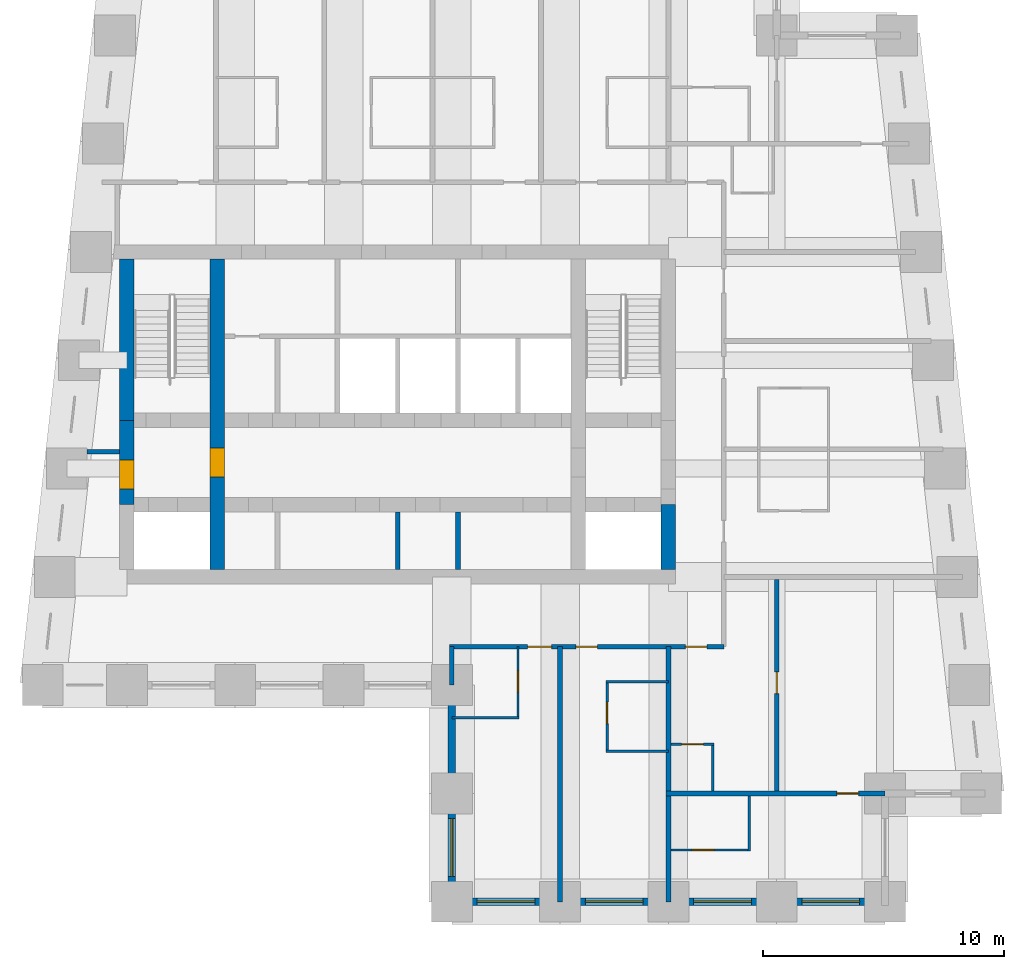
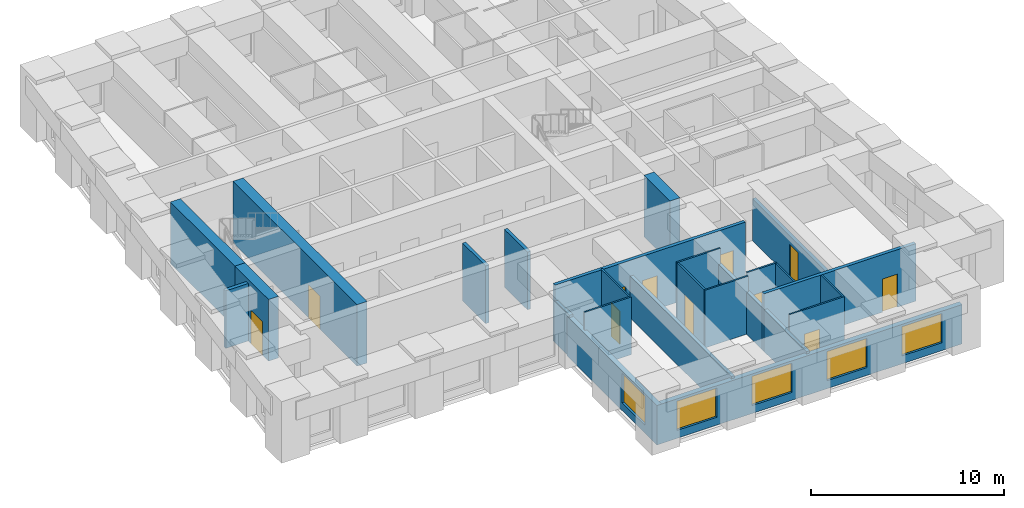
# One storey, part 2 of 7: 24 walls, 11 doors, 5 windows, 16 openings.
"""IFC4 building model written with IfcOpenShell, lengths in metres."""

from ifc_helpers import new_model, si_unit, direction, frame, frame_2d, origin, place, context, subcontext, project, spatial, rectangle, extrude, material, layer, layer_set, type_object, element, fill, save


model = new_model("IFC4")

# Units and contexts
model_context = context("Model", 3, precision=1e-05, world=origin(), true_north=direction((0.0, 1.0)))
body_context = subcontext(model_context, "Body", "Model", "MODEL_VIEW")
ifc_project = project(units=[si_unit("LENGTHUNIT", "METRE"), si_unit("AREAUNIT", "SQUARE_METRE"), si_unit("VOLUMEUNIT", "CUBIC_METRE"), si_unit("PLANEANGLEUNIT", "RADIAN"), si_unit("MASSUNIT", "GRAM", prefix="KILO")], contexts=[model_context])

# Site, building, storey
site_placement = place(None, origin())
site = spatial("IfcSite", under=ifc_project, at=site_placement, CompositionType="ELEMENT")
building_placement = place(site_placement, origin())
building = spatial("IfcBuilding", under=site, at=building_placement, Name="Kilele Tower Hotel", CompositionType="ELEMENT")
storey_placement = place(building_placement, frame((0.0, 0.0, 225.199951171875)))
storey = spatial("IfcBuildingStorey", under=building, at=storey_placement, Name="L58", CompositionType="ELEMENT", Elevation=225.199951171875)

# Wall
ifc_material_1 = material(Name="Moisture-resistant board")
ifc_layer_1 = layer(ifc_material_1, 0.10009765625)
ifc_layer_set_1 = layer_set([ifc_layer_1], Name="Moisture-resistant board")
wall_type_1 = type_object("IfcWallType", Name="Bathroom partition 100", PredefinedType="PLUMBINGWALL", material=ifc_layer_set_1)
wall_1_placement = place(storey_placement, frame((27.0, 7.64990234375, 0.0), z_axis=(0.0, 0.0, 1.0), x_axis=(1.0, 0.0, 0.0)))
element("IfcWall", 1, at=wall_1_placement, inside=storey, type_object=wall_type_1, Name="Bathroom partition 100 L58", PredefinedType="PLUMBINGWALL", context=body_context, shape_type="SweptSolid", body=[
    extrude(rectangle(XDim=2.800048828125, YDim=0.10009765625, at=frame_2d((1.39990234375, 0.0))), origin(), (0.0, 0.0, 1.0), 3.650146484375),
])

# Wall, opening, door
wall_2_placement = place(storey_placement, frame((29.75, 10.60009765625, 0.0), z_axis=(0.0, 0.0, 1.0), x_axis=(0.0, -1.0, 0.0)))
wall_2 = element("IfcWall", 2, at=wall_2_placement, inside=storey, type_object=wall_type_1, Name="Bathroom partition 100 L58", PredefinedType="PLUMBINGWALL", context=body_context, shape_type="SweptSolid", body=[
    extrude(rectangle(XDim=3.0, YDim=0.10009765625, at=frame_2d((1.5, 0.0))), origin(), (0.0, 0.0, 1.0), 3.650146484375),
])
opening_1_placement = place(wall_2_placement, frame((1.0, 0.0, 0.0)))
opening_1 = element("IfcOpeningElement", 3, at=opening_1_placement, cuts=wall_2, Name="Opening D2A", PredefinedType="OPENING", context=body_context, shape_type="SweptSolid", body=[
    extrude(rectangle(XDim=0.89990234375, YDim=2.10009765625, at=frame_2d((0.449951171875, 1.050048828125))), frame((0.0, 0.06005859375, 0.0), z_axis=(0.0, -1.0, 0.0), x_axis=(1.0, 0.0, 0.0)), (0.0, 0.0, 1.0), 0.1201171875),
])
ifc_material_2 = material(Name="Timber door leaf in hardwood frame", Category="wood")
door_type_1 = type_object("IfcDoorType", Name="Bathroom door 900", OperationType="SINGLE_SWING_LEFT", PredefinedType="DOOR", material=ifc_material_2)
door_1_placement = place(opening_1_placement, origin())
door_1 = element("IfcDoor", 4, at=door_1_placement, inside=storey, type_object=door_type_1, Name="Bathroom door 5802B", OperationType="SINGLE_SWING_LEFT", OverallHeight=2.10009765625, OverallWidth=0.89990234375, PredefinedType="DOOR", context=body_context, shape_type="SweptSolid", body=[
    extrude(rectangle(XDim=0.89990234375, YDim=2.10009765625, at=frame_2d((0.449951171875, 1.050048828125))), frame((0.0, 0.02490234375, 0.0), z_axis=(0.0, -1.0, 0.0), x_axis=(1.0, 0.0, 0.0)), (0.0, 0.0, 1.0), 0.050048828125),
])
fill(opening_1, door_1)

# Walls
for number, where, z_axis, x_axis, name in (
    (5, (33.39990234375, 9.14990234375, 0.0), (0.0, 0.0, 1.0), (1.0, 0.0, 0.0), "Bathroom partition 100 L58"),
    (6, (33.39990234375, 6.25, 0.0), (0.0, 0.0, 1.0), (1.0, 0.0, 0.0), "Bathroom partition 100 L58"),
):
    element("IfcWall", number, at=place(storey_placement, frame(where, z_axis=z_axis, x_axis=x_axis)), inside=storey, type_object=wall_type_1, Name=name, PredefinedType="PLUMBINGWALL", context=body_context, shape_type="SweptSolid", body=[
        extrude(rectangle(XDim=2.60009765625, YDim=0.10009765625, at=frame_2d((1.300048828125, 0.0))), origin(), (0.0, 0.0, 1.0), 3.650146484375),
    ])

# Wall, opening, door
wall_3_placement = place(storey_placement, frame((33.449951171875, 9.199951171875, 0.0), z_axis=(0.0, 0.0, 1.0), x_axis=(0.0, -1.0, 0.0)))
wall_3 = element("IfcWall", 7, at=wall_3_placement, inside=storey, type_object=wall_type_1, Name="Bathroom partition 100 L58", PredefinedType="PLUMBINGWALL", context=body_context, shape_type="SweptSolid", body=[
    extrude(rectangle(XDim=3.0, YDim=0.10009765625, at=frame_2d((1.5, 0.0))), origin(), (0.0, 0.0, 1.0), 3.650146484375),
])
opening_2_placement = place(wall_3_placement, frame((1.7998046875, 0.0, 0.0), z_axis=(0.0, 0.0, 1.0), x_axis=(-1.0, 0.0, 0.0)))
opening_2 = element("IfcOpeningElement", 8, at=opening_2_placement, cuts=wall_3, Name="Opening D2A", PredefinedType="OPENING", context=body_context, shape_type="SweptSolid", body=[
    extrude(rectangle(XDim=0.89990234375, YDim=2.10009765625, at=frame_2d((0.449951171875, 1.050048828125))), frame((0.0, 0.06005859375, 0.0), z_axis=(0.0, -1.0, 0.0), x_axis=(1.0, 0.0, 0.0)), (0.0, 0.0, 1.0), 0.1201171875),
])
door_2_placement = place(opening_2_placement, origin())
door_2 = element("IfcDoor", 9, at=door_2_placement, inside=storey, type_object=door_type_1, Name="Bathroom door 5803B", OperationType="SINGLE_SWING_RIGHT", OverallHeight=2.10009765625, OverallWidth=0.89990234375, PredefinedType="DOOR", context=body_context, shape_type="SweptSolid", body=[
    extrude(rectangle(XDim=0.89990234375, YDim=2.10009765625, at=frame_2d((0.449951171875, 1.050048828125))), frame((0.0, 0.02490234375, 0.0), z_axis=(0.0, -1.0, 0.0), x_axis=(1.0, 0.0, 0.0)), (0.0, 0.0, 1.0), 0.050048828125),
])
fill(opening_2, door_2)

# Wall
wall_4_placement = place(storey_placement, frame((37.85009765625, 4.60009765625, 0.0), z_axis=(0.0, 0.0, 1.0), x_axis=(0.0, 1.0, 0.0)))
element("IfcWall", 10, at=wall_4_placement, inside=storey, type_object=wall_type_1, Name="Bathroom partition 100 L58", PredefinedType="PLUMBINGWALL", context=body_context, shape_type="SweptSolid", body=[
    extrude(rectangle(XDim=2.0, YDim=0.10009765625, at=frame_2d((1.0, 0.0))), origin(), (0.0, 0.0, 1.0), 3.650146484375),
])

# Wall, opening, door
wall_5_placement = place(storey_placement, frame((36.10009765625, 6.550048828125, 0.0), z_axis=(0.0, 0.0, 1.0), x_axis=(1.0, 0.0, 0.0)))
wall_5 = element("IfcWall", 11, at=wall_5_placement, inside=storey, type_object=wall_type_1, Name="Bathroom partition 100 L58", PredefinedType="PLUMBINGWALL", context=body_context, shape_type="SweptSolid", body=[
    extrude(rectangle(XDim=1.7998046875, YDim=0.10009765625, at=frame_2d((0.89990234375, 0.0))), origin(), (0.0, 0.0, 1.0), 3.650146484375),
])
opening_3_placement = place(wall_5_placement, frame((0.449951171875, 0.0, 0.0)))
opening_3 = element("IfcOpeningElement", 12, at=opening_3_placement, cuts=wall_5, Name="Opening D2A", PredefinedType="OPENING", context=body_context, shape_type="SweptSolid", body=[
    extrude(rectangle(XDim=0.89990234375, YDim=2.10009765625, at=frame_2d((0.449951171875, 1.050048828125))), frame((0.0, 0.06005859375, 0.0), z_axis=(0.0, -1.0, 0.0), x_axis=(1.0, 0.0, 0.0)), (0.0, 0.0, 1.0), 0.1201171875),
])
door_3_placement = place(opening_3_placement, origin())
door_3 = element("IfcDoor", 13, at=door_3_placement, inside=storey, type_object=door_type_1, Name="Bathroom door 5812P", OperationType="SINGLE_SWING_LEFT", OverallHeight=2.10009765625, OverallWidth=0.89990234375, PredefinedType="DOOR", context=body_context, shape_type="SweptSolid", body=[
    extrude(rectangle(XDim=0.89990234375, YDim=2.10009765625, at=frame_2d((0.449951171875, 1.050048828125))), frame((0.0, 0.02490234375, 0.0), z_axis=(0.0, -1.0, 0.0), x_axis=(1.0, 0.0, 0.0)), (0.0, 0.0, 1.0), 0.050048828125),
])
fill(opening_3, door_3)

# Wall
wall_6_placement = place(storey_placement, frame((39.35009765625, 4.39990234375, 0.0), z_axis=(0.0, 0.0, 1.0), x_axis=(0.0, -1.0, 0.0)))
element("IfcWall", 14, at=wall_6_placement, inside=storey, type_object=wall_type_1, Name="Bathroom partition 100 L58", PredefinedType="PLUMBINGWALL", context=body_context, shape_type="SweptSolid", body=[
    extrude(rectangle(XDim=2.2998046875, YDim=0.10009765625, at=frame_2d((1.14990234375, 0.0))), origin(), (0.0, 0.0, 1.0), 3.650146484375),
])

# Wall, opening, door
wall_7_placement = place(storey_placement, frame((36.10009765625, 2.14990234375, 0.0), z_axis=(0.0, 0.0, 1.0), x_axis=(1.0, 0.0, 0.0)))
wall_7 = element("IfcWall", 15, at=wall_7_placement, inside=storey, type_object=wall_type_1, Name="Bathroom partition 100 L58", PredefinedType="PLUMBINGWALL", context=body_context, shape_type="SweptSolid", body=[
    extrude(rectangle(XDim=3.2998046875, YDim=0.10009765625, at=frame_2d((1.64990234375, 0.0))), origin(), (0.0, 0.0, 1.0), 3.650146484375),
])
opening_4_placement = place(wall_7_placement, frame((1.7998046875, 0.0, 0.0), z_axis=(0.0, 0.0, 1.0), x_axis=(-1.0, 0.0, 0.0)))
opening_4 = element("IfcOpeningElement", 16, at=opening_4_placement, cuts=wall_7, Name="Opening D2A", PredefinedType="OPENING", context=body_context, shape_type="SweptSolid", body=[
    extrude(rectangle(XDim=0.89990234375, YDim=2.10009765625, at=frame_2d((0.449951171875, 1.050048828125))), frame((0.0, 0.06005859375, 0.0), z_axis=(0.0, -1.0, 0.0), x_axis=(1.0, 0.0, 0.0)), (0.0, 0.0, 1.0), 0.1201171875),
])
door_4_placement = place(opening_4_placement, origin())
door_4 = element("IfcDoor", 17, at=door_4_placement, inside=storey, type_object=door_type_1, Name="Bathroom door 5814B", OperationType="SINGLE_SWING_RIGHT", OverallHeight=2.10009765625, OverallWidth=0.89990234375, PredefinedType="DOOR", context=body_context, shape_type="SweptSolid", body=[
    extrude(rectangle(XDim=0.89990234375, YDim=2.10009765625, at=frame_2d((0.449951171875, 1.050048828125))), frame((0.0, 0.02490234375, 0.0), z_axis=(0.0, -1.0, 0.0), x_axis=(1.0, 0.0, 0.0)), (0.0, 0.0, 1.0), 0.050048828125),
])
fill(opening_4, door_4)

ifc_material_3 = material(Name="Concrete C60/75", Category="concrete")
ifc_layer_2 = layer(ifc_material_3, 0.60009765625)
ifc_layer_set_2 = layer_set([ifc_layer_2], Name="Concrete C60/75")
wall_type_2 = type_object("IfcWallType", Name="Core wall 600 C60/75", PredefinedType="SHEAR", material=ifc_layer_set_2)
wall_8_placement = place(storey_placement, frame((17.25, 13.800048828125, 0.0), z_axis=(0.0, 0.0, 1.0), x_axis=(0.0, 1.0, 0.0)))
wall_8 = element("IfcWall", 18, at=wall_8_placement, inside=storey, type_object=wall_type_2, Name="Core wall IW L58", PredefinedType="SHEAR", context=body_context, shape_type="SweptSolid", body=[
    extrude(rectangle(XDim=12.89990234375, YDim=0.60009765625, at=frame_2d((6.449951171875, 0.0))), origin(), (0.0, 0.0, 1.0), 3.900146484375),
])
opening_5_placement = place(wall_8_placement, frame((3.85009765625, 0.0, 0.0)))
opening_5 = element("IfcOpeningElement", 19, at=opening_5_placement, cuts=wall_8, Name="Opening D4", PredefinedType="OPENING", context=body_context, shape_type="SweptSolid", body=[
    extrude(rectangle(XDim=1.199951171875, YDim=2.10009765625, at=frame_2d((0.60009765625, 1.050048828125))), frame((0.0, 0.31005859375, 0.0), z_axis=(0.0, -1.0, 0.0), x_axis=(1.0, 0.0, 0.0)), (0.0, 0.0, 1.0), 0.6201171875),
])
ifc_material_4 = material(Name="Timber door leaf in hardwood frame", Category="wood")
door_type_2 = type_object("IfcDoorType", Name="Firefighting lobby door 1200", OperationType="SINGLE_SWING_LEFT", PredefinedType="DOOR", material=ifc_material_4)
door_5_placement = place(opening_5_placement, origin())
door_5 = element("IfcDoor", 20, at=door_5_placement, inside=storey, type_object=door_type_2, Name="Lobby door L58", OperationType="SINGLE_SWING_LEFT", OverallHeight=2.10009765625, OverallWidth=1.199951171875, PredefinedType="DOOR", context=body_context, shape_type="SweptSolid", body=[
    extrude(rectangle(XDim=1.199951171875, YDim=2.10009765625, at=frame_2d((0.60009765625, 1.050048828125))), frame((0.0, 0.2998046875, 0.0), z_axis=(0.0, -1.0, 0.0), x_axis=(1.0, 0.0, 0.0)), (0.0, 0.0, 1.0), 0.599609375),
])
fill(opening_5, door_5)

# Wall
wall_9_placement = place(storey_placement, frame((13.5, 26.699951171875, 0.0), z_axis=(0.0, 0.0, 1.0), x_axis=(0.0, -1.0, 0.0)))
element("IfcWall", 21, at=wall_9_placement, inside=storey, type_object=wall_type_2, Name="Core wall W1 L58", PredefinedType="SHEAR", context=body_context, shape_type="SweptSolid", body=[
    extrude(rectangle(XDim=6.699951171875, YDim=0.60009765625, at=frame_2d((3.35009765625, 0.0))), origin(), (0.0, 0.0, 1.0), 3.900146484375),
])

# Wall, opening, door
wall_10_placement = place(storey_placement, frame((13.5, 20.0, 0.0), z_axis=(0.0, 0.0, 1.0), x_axis=(0.0, -1.0, 0.0)))
wall_10 = element("IfcWall", 22, at=wall_10_placement, inside=storey, type_object=wall_type_2, Name="Core wall W2 L58", PredefinedType="SHEAR", context=body_context, shape_type="SweptSolid", body=[
    extrude(rectangle(XDim=3.5, YDim=0.60009765625, at=frame_2d((1.75, 0.0))), origin(), (0.0, 0.0, 1.0), 3.900146484375),
])
opening_6_placement = place(wall_10_placement, frame((1.64990234375, 0.0, 0.0)))
opening_6 = element("IfcOpeningElement", 23, at=opening_6_placement, cuts=wall_10, Name="Opening D4", PredefinedType="OPENING", context=body_context, shape_type="SweptSolid", body=[
    extrude(rectangle(XDim=1.199951171875, YDim=2.10009765625, at=frame_2d((0.60009765625, 1.050048828125))), frame((0.0, 0.31005859375, 0.0), z_axis=(0.0, -1.0, 0.0), x_axis=(1.0, 0.0, 0.0)), (0.0, 0.0, 1.0), 0.6201171875),
])
door_6_placement = place(opening_6_placement, origin())
door_6 = element("IfcDoor", 24, at=door_6_placement, inside=storey, type_object=door_type_2, Name="Lobby door L58", OperationType="SINGLE_SWING_RIGHT", OverallHeight=2.10009765625, OverallWidth=1.199951171875, PredefinedType="DOOR", context=body_context, shape_type="SweptSolid", body=[
    extrude(rectangle(XDim=1.199951171875, YDim=2.10009765625, at=frame_2d((0.60009765625, 1.050048828125))), frame((0.0, 0.2998046875, 0.0), z_axis=(0.0, -1.0, 0.0), x_axis=(1.0, 0.0, 0.0)), (0.0, 0.0, 1.0), 0.599609375),
])
fill(opening_6, door_6)

# Wall
wall_11_placement = place(storey_placement, frame((36.0, 13.800048828125, 0.0), z_axis=(0.0, 0.0, 1.0), x_axis=(0.0, 1.0, 0.0)))
element("IfcWall", 25, at=wall_11_placement, inside=storey, type_object=wall_type_2, Name="Core wall E1 L58", PredefinedType="SHEAR", context=body_context, shape_type="SweptSolid", body=[
    extrude(rectangle(XDim=2.699951171875, YDim=0.60009765625, at=frame_2d((1.35009765625, 0.0))), origin(), (0.0, 0.0, 1.0), 3.900146484375),
])

# Wall, openings, doors
ifc_material_5 = material(Name="Blockwork, plastered both sides", Category="masonry")
ifc_layer_3 = layer(ifc_material_5, 0.199951171875)
ifc_layer_set_3 = layer_set([ifc_layer_3], Name="Blockwork, plastered both sides")
wall_type_3 = type_object("IfcWallType", Name="Corridor wall 200", PredefinedType="PARTITIONING", material=ifc_layer_set_3)
wall_12_placement = place(storey_placement, frame((26.89990234375, 10.60009765625, 0.0), z_axis=(0.0, 0.0, 1.0), x_axis=(1.0, 0.0, 0.0)))
wall_12 = element("IfcWall", 26, at=wall_12_placement, inside=storey, type_object=wall_type_3, Name="Corridor wall 200 L58", PredefinedType="PARTITIONING", context=body_context, shape_type="SweptSolid", body=[
    extrude(rectangle(XDim=11.400146484375, YDim=0.199951171875, at=frame_2d((5.7001953125, 0.0))), origin(), (0.0, 0.0, 1.0), 3.650146484375),
])
opening_7_placement = place(wall_12_placement, frame((4.25, 0.0, 0.0), z_axis=(0.0, 0.0, 1.0), x_axis=(-1.0, 0.0, 0.0)))
opening_7 = element("IfcOpeningElement", 27, at=opening_7_placement, cuts=wall_12, Name="Opening D1A", PredefinedType="OPENING", context=body_context, shape_type="SweptSolid", body=[
    extrude(rectangle(XDim=1.0, YDim=2.10009765625, at=frame_2d((0.5, 1.050048828125))), frame((0.0, 0.10986328125, 0.0), z_axis=(0.0, -1.0, 0.0), x_axis=(1.0, 0.0, 0.0)), (0.0, 0.0, 1.0), 0.219970703125),
])
opening_8_placement = place(wall_12_placement, frame((6.14990234375, 0.0, 0.0), z_axis=(0.0, 0.0, 1.0), x_axis=(-1.0, 0.0, 0.0)))
opening_8 = element("IfcOpeningElement", 28, at=opening_8_placement, cuts=wall_12, Name="Opening D1", PredefinedType="OPENING", context=body_context, shape_type="SweptSolid", body=[
    extrude(rectangle(XDim=0.89990234375, YDim=2.10009765625, at=frame_2d((0.449951171875, 1.050048828125))), frame((0.0, 0.10986328125, 0.0), z_axis=(0.0, -1.0, 0.0), x_axis=(1.0, 0.0, 0.0)), (0.0, 0.0, 1.0), 0.219970703125),
])
opening_9_placement = place(wall_12_placement, frame((10.699951171875, 0.0, 0.0), z_axis=(0.0, 0.0, 1.0), x_axis=(-1.0, 0.0, 0.0)))
opening_9 = element("IfcOpeningElement", 29, at=opening_9_placement, cuts=wall_12, Name="Opening D1", PredefinedType="OPENING", context=body_context, shape_type="SweptSolid", body=[
    extrude(rectangle(XDim=0.89990234375, YDim=2.10009765625, at=frame_2d((0.449951171875, 1.050048828125))), frame((0.0, 0.10986328125, 0.0), z_axis=(0.0, -1.0, 0.0), x_axis=(1.0, 0.0, 0.0)), (0.0, 0.0, 1.0), 0.219970703125),
])
ifc_material_6 = material(Name="Timber door leaf in hardwood frame", Category="wood")
door_type_3 = type_object("IfcDoorType", Name="Guest room entrance door 1000", OperationType="SINGLE_SWING_LEFT", PredefinedType="DOOR", material=ifc_material_6)
door_7_placement = place(opening_7_placement, origin())
door_7 = element("IfcDoor", 30, at=door_7_placement, inside=storey, type_object=door_type_3, Name="Room entrance 5802", OperationType="SINGLE_SWING_RIGHT", OverallHeight=2.10009765625, OverallWidth=1.0, PredefinedType="DOOR", context=body_context, shape_type="SweptSolid", body=[
    extrude(rectangle(XDim=1.0, YDim=2.10009765625, at=frame_2d((0.5, 1.050048828125))), frame((0.0, 0.02490234375, 0.0), z_axis=(0.0, -1.0, 0.0), x_axis=(1.0, 0.0, 0.0)), (0.0, 0.0, 1.0), 0.050048828125),
])
fill(opening_7, door_7)
ifc_material_7 = material(Name="Timber door leaf in hardwood frame", Category="wood")
door_type_4 = type_object("IfcDoorType", Name="Guest room entrance door 900", OperationType="SINGLE_SWING_LEFT", PredefinedType="DOOR", material=ifc_material_7)
door_8_placement = place(opening_8_placement, origin())
door_8 = element("IfcDoor", 31, at=door_8_placement, inside=storey, type_object=door_type_4, Name="Room entrance 5803", OperationType="SINGLE_SWING_RIGHT", OverallHeight=2.10009765625, OverallWidth=0.89990234375, PredefinedType="DOOR", context=body_context, shape_type="SweptSolid", body=[
    extrude(rectangle(XDim=0.89990234375, YDim=2.10009765625, at=frame_2d((0.449951171875, 1.050048828125))), frame((0.0, 0.02490234375, 0.0), z_axis=(0.0, -1.0, 0.0), x_axis=(1.0, 0.0, 0.0)), (0.0, 0.0, 1.0), 0.050048828125),
])
fill(opening_8, door_8)
door_9_placement = place(opening_9_placement, origin())
door_9 = element("IfcDoor", 32, at=door_9_placement, inside=storey, type_object=door_type_4, Name="Room entrance 5812", OperationType="SINGLE_SWING_RIGHT", OverallHeight=2.10009765625, OverallWidth=0.89990234375, PredefinedType="DOOR", context=body_context, shape_type="SweptSolid", body=[
    extrude(rectangle(XDim=0.89990234375, YDim=2.10009765625, at=frame_2d((0.449951171875, 1.050048828125))), frame((0.0, 0.02490234375, 0.0), z_axis=(0.0, -1.0, 0.0), x_axis=(1.0, 0.0, 0.0)), (0.0, 0.0, 1.0), 0.050048828125),
])
fill(opening_9, door_9)

# Wall
ifc_material_8 = material(Name="Blockwork, plastered both sides", Category="masonry")
ifc_layer_4 = layer(ifc_material_8, 0.199951171875)
ifc_layer_set_4 = layer_set([ifc_layer_4], Name="Blockwork, plastered both sides")
wall_type_4 = type_object("IfcWallType", Name="Partition wall 200", PredefinedType="PARTITIONING", material=ifc_layer_set_4)
wall_13_placement = place(storey_placement, frame((13.199951171875, 18.699951171875, 0.0), z_axis=(0.0, 0.0, 1.0), x_axis=(-1.0, 0.0, 0.0)))
element("IfcWall", 33, at=wall_13_placement, inside=storey, type_object=wall_type_4, Name="Partition wall 200 L58", PredefinedType="PARTITIONING", context=body_context, shape_type="SweptSolid", body=[
    extrude(rectangle(XDim=1.349853515625, YDim=0.199951171875, at=frame_2d((0.6748046875, 0.0))), origin(), (0.0, 0.0, 1.0), 3.650146484375),
])

# Wall, opening, door
wall_14_placement = place(storey_placement, frame((40.5, 4.60009765625, 0.0), z_axis=(0.0, 0.0, 1.0), x_axis=(0.0, 1.0, 0.0)))
wall_14 = element("IfcWall", 34, at=wall_14_placement, inside=storey, type_object=wall_type_4, Name="Partition wall 200 L58", PredefinedType="PARTITIONING", context=body_context, shape_type="SweptSolid", body=[
    extrude(rectangle(XDim=8.7998046875, YDim=0.199951171875, at=frame_2d((4.39990234375, 0.0))), origin(), (0.0, 0.0, 1.0), 2.650146484375),
])
opening_10_placement = place(wall_14_placement, frame((4.050048828125, 0.0, 0.0)))
opening_10 = element("IfcOpeningElement", 35, at=opening_10_placement, cuts=wall_14, Name="Opening D3", PredefinedType="OPENING", context=body_context, shape_type="SweptSolid", body=[
    extrude(rectangle(XDim=0.89990234375, YDim=2.10009765625, at=frame_2d((0.449951171875, 1.050048828125))), frame((0.0, 0.10986328125, 0.0), z_axis=(0.0, -1.0, 0.0), x_axis=(1.0, 0.0, 0.0)), (0.0, 0.0, 1.0), 0.219970703125),
])
ifc_material_9 = material(Name="Timber door leaf in hardwood frame", Category="wood")
door_type_5 = type_object("IfcDoorType", Name="Suite internal door 900", OperationType="SINGLE_SWING_LEFT", PredefinedType="DOOR", material=ifc_material_9)
door_10_placement = place(opening_10_placement, origin())
door_10 = element("IfcDoor", 36, at=door_10_placement, inside=storey, type_object=door_type_5, Name="Suite door 5813", OperationType="SINGLE_SWING_RIGHT", OverallHeight=2.10009765625, OverallWidth=0.89990234375, PredefinedType="DOOR", context=body_context, shape_type="SweptSolid", body=[
    extrude(rectangle(XDim=0.89990234375, YDim=2.10009765625, at=frame_2d((0.449951171875, 1.050048828125))), frame((0.0, 0.02490234375, 0.0), z_axis=(0.0, -1.0, 0.0), x_axis=(1.0, 0.0, 0.0)), (0.0, 0.0, 1.0), 0.050048828125),
])
fill(opening_10, door_10)

# Walls
ifc_material_10 = material(Name="Blockwork, plastered both sides", Category="masonry")
ifc_layer_5 = layer(ifc_material_10, 0.199951171875)
ifc_layer_set_5 = layer_set([ifc_layer_5], Name="Blockwork, plastered both sides")
wall_type_5 = type_object("IfcWallType", Name="Party wall 200", PredefinedType="PARTITIONING", material=ifc_layer_set_5)
wall_15_placement = place(storey_placement, frame((27.0, 10.60009765625, 0.0), z_axis=(0.0, 0.0, 1.0), x_axis=(0.0, -1.0, 0.0)))
element("IfcWall", 37, at=wall_15_placement, inside=storey, type_object=wall_type_5, Name="Party wall 200 L58", PredefinedType="PARTITIONING", context=body_context, shape_type="SweptSolid", body=[
    extrude(rectangle(XDim=1.60009765625, YDim=0.199951171875, at=frame_2d((0.800048828125, 0.0))), origin(), (0.0, 0.0, 1.0), 2.650146484375),
])
for number, where, z_axis, x_axis, name in (
    (38, (31.5, 10.60009765625, 0.0), (0.0, 0.0, 1.0), (0.0, -1.0, 0.0), "Party wall 200 L58"),
    (39, (36.0, 10.60009765625, 0.0), (0.0, 0.0, 1.0), (0.0, -1.0, 0.0), "Party wall 200 L58"),
):
    element("IfcWall", number, at=place(storey_placement, frame(where, z_axis=z_axis, x_axis=x_axis)), inside=storey, type_object=wall_type_5, Name=name, PredefinedType="PARTITIONING", context=body_context, shape_type="SweptSolid", body=[
        extrude(rectangle(XDim=10.60009765625, YDim=0.199951171875, at=frame_2d((5.300048828125, 0.0))), origin(), (0.0, 0.0, 1.0), 2.650146484375),
    ])

# Wall, opening, door
wall_16_placement = place(storey_placement, frame((35.89990234375, 4.5, 0.0), z_axis=(0.0, 0.0, 1.0), x_axis=(1.0, 0.0, 0.0)))
wall_16 = element("IfcWall", 40, at=wall_16_placement, inside=storey, type_object=wall_type_5, Name="Party wall 200 L58", PredefinedType="PARTITIONING", context=body_context, shape_type="SweptSolid", body=[
    extrude(rectangle(XDim=9.10009765625, YDim=0.199951171875, at=frame_2d((4.550048828125, 0.0))), origin(), (0.0, 0.0, 1.0), 3.650146484375),
])
opening_11_placement = place(wall_16_placement, frame((7.10009765625, 0.0, 0.0)))
opening_11 = element("IfcOpeningElement", 41, at=opening_11_placement, cuts=wall_16, Name="Opening D3", PredefinedType="OPENING", context=body_context, shape_type="SweptSolid", body=[
    extrude(rectangle(XDim=0.89990234375, YDim=2.10009765625, at=frame_2d((0.449951171875, 1.050048828125))), frame((0.0, 0.10986328125, 0.0), z_axis=(0.0, -1.0, 0.0), x_axis=(1.0, 0.0, 0.0)), (0.0, 0.0, 1.0), 0.219970703125),
])
door_11_placement = place(opening_11_placement, origin())
door_11 = element("IfcDoor", 42, at=door_11_placement, inside=storey, type_object=door_type_5, Name="Suite door 5814", OperationType="SINGLE_SWING_RIGHT", OverallHeight=2.10009765625, OverallWidth=0.89990234375, PredefinedType="DOOR", context=body_context, shape_type="SweptSolid", body=[
    extrude(rectangle(XDim=0.89990234375, YDim=2.10009765625, at=frame_2d((0.449951171875, 1.050048828125))), frame((0.0, 0.02490234375, 0.0), z_axis=(0.0, -1.0, 0.0), x_axis=(1.0, 0.0, 0.0)), (0.0, 0.0, 1.0), 0.050048828125),
])
fill(opening_11, door_11)

# Wall, opening, window
ifc_material_11 = material(Name="Concrete C40/50 precast", Category="concrete")
ifc_layer_6 = layer(ifc_material_11, 0.260009765625, Name="Precast backing", Category="LoadBearing")
ifc_material_12 = material(Name="Reconstituted stone finish", Category="masonry")
ifc_layer_7 = layer(ifc_material_12, 0.0400390625, Name="Face mix", Category="Finish")
ifc_layer_set_6 = layer_set([ifc_layer_6, ifc_layer_7], Name="Precast concrete C40/50, reconstituted stone finish")
wall_type_6 = type_object("IfcWallType", Name="Precast stone facade wall 300", PredefinedType="STANDARD", material=ifc_layer_set_6)
wall_17_placement = place(storey_placement, frame((27.0, 9.14990234375, 0.0), z_axis=(0.0, 0.0, 1.0), x_axis=(0.0, -1.0, 0.0)))
wall_17 = element("IfcWall", 43, at=wall_17_placement, inside=storey, type_object=wall_type_6, Name="Facade wall L58 edge 2", PredefinedType="STANDARD", context=body_context, shape_type="SweptSolid", body=[
    extrude(rectangle(XDim=9.2998046875, YDim=0.300048828125, at=frame_2d((4.64990234375, 0.0))), origin(), (0.0, 0.0, 1.0), 2.5),
])
opening_12_placement = place(wall_17_placement, frame((5.699951171875, 0.0, 0.5)))
opening_12 = element("IfcOpeningElement", 44, at=opening_12_placement, cuts=wall_17, Name="Opening W4", PredefinedType="OPENING", context=body_context, shape_type="SweptSolid", body=[
    extrude(rectangle(XDim=2.39990234375, YDim=1.85009765625, at=frame_2d((1.199951171875, 0.925048828125))), frame((0.0, 0.159912109375, 0.0), z_axis=(0.0, -1.0, 0.0), x_axis=(1.0, 0.0, 0.0)), (0.0, 0.0, 1.0), 0.320068359375),
])
ifc_material_13 = material(Name="Aluminium frame, clear double glazing", Category="aluminium")
window_type = type_object("IfcWindowType", Name="Window W4 2400 x 1850", PartitioningType="SINGLE_PANEL", PredefinedType="WINDOW", material=ifc_material_13)
window_1_placement = place(opening_12_placement, origin())
window_1 = element("IfcWindow", 45, at=window_1_placement, inside=storey, type_object=window_type, Name="Window L58", OverallHeight=1.85009765625, OverallWidth=2.39990234375, PartitioningType="SINGLE_PANEL", PredefinedType="WINDOW", context=body_context, shape_type="SweptSolid", body=[
    extrude(rectangle(XDim=2.39990234375, YDim=1.85009765625, at=frame_2d((1.199951171875, 0.925048828125))), frame((0.0, 0.030029296875, 0.0), z_axis=(0.0, -1.0, 0.0), x_axis=(1.0, 0.0, 0.0)), (0.0, 0.0, 1.0), 0.06005859375),
])
fill(opening_12, window_1)

# Wall, openings, windows
wall_18_placement = place(storey_placement, frame((26.85009765625, 0.0, 0.0), z_axis=(0.0, 0.0, 1.0), x_axis=(1.0, 0.0, 0.0)))
wall_18 = element("IfcWall", 46, at=wall_18_placement, inside=storey, type_object=wall_type_6, Name="Facade wall L58 edge 3", PredefinedType="STANDARD", context=body_context, shape_type="SweptSolid", body=[
    extrude(rectangle(XDim=18.2998046875, YDim=0.300048828125, at=frame_2d((9.14990234375, 0.0))), origin(), (0.0, 0.0, 1.0), 2.5),
])
opening_13_placement = place(wall_18_placement, frame((1.199951171875, 0.0, 0.5)))
opening_13 = element("IfcOpeningElement", 47, at=opening_13_placement, cuts=wall_18, Name="Opening W4", PredefinedType="OPENING", context=body_context, shape_type="SweptSolid", body=[
    extrude(rectangle(XDim=2.39990234375, YDim=1.85009765625, at=frame_2d((1.199951171875, 0.925048828125))), frame((0.0, 0.159912109375, 0.0), z_axis=(0.0, -1.0, 0.0), x_axis=(1.0, 0.0, 0.0)), (0.0, 0.0, 1.0), 0.320068359375),
])
opening_14_placement = place(wall_18_placement, frame((5.699951171875, 0.0, 0.5)))
opening_14 = element("IfcOpeningElement", 48, at=opening_14_placement, cuts=wall_18, Name="Opening W4", PredefinedType="OPENING", context=body_context, shape_type="SweptSolid", body=[
    extrude(rectangle(XDim=2.39990234375, YDim=1.85009765625, at=frame_2d((1.199951171875, 0.925048828125))), frame((0.0, 0.159912109375, 0.0), z_axis=(0.0, -1.0, 0.0), x_axis=(1.0, 0.0, 0.0)), (0.0, 0.0, 1.0), 0.320068359375),
])
opening_15_placement = place(wall_18_placement, frame((10.199951171875, 0.0, 0.5)))
opening_15 = element("IfcOpeningElement", 49, at=opening_15_placement, cuts=wall_18, Name="Opening W4", PredefinedType="OPENING", context=body_context, shape_type="SweptSolid", body=[
    extrude(rectangle(XDim=2.39990234375, YDim=1.85009765625, at=frame_2d((1.199951171875, 0.925048828125))), frame((0.0, 0.159912109375, 0.0), z_axis=(0.0, -1.0, 0.0), x_axis=(1.0, 0.0, 0.0)), (0.0, 0.0, 1.0), 0.320068359375),
])
opening_16_placement = place(wall_18_placement, frame((14.699951171875, 0.0, 0.5)))
opening_16 = element("IfcOpeningElement", 50, at=opening_16_placement, cuts=wall_18, Name="Opening W4", PredefinedType="OPENING", context=body_context, shape_type="SweptSolid", body=[
    extrude(rectangle(XDim=2.39990234375, YDim=1.85009765625, at=frame_2d((1.199951171875, 0.925048828125))), frame((0.0, 0.159912109375, 0.0), z_axis=(0.0, -1.0, 0.0), x_axis=(1.0, 0.0, 0.0)), (0.0, 0.0, 1.0), 0.320068359375),
])
window_2_placement = place(opening_13_placement, origin())
window_2 = element("IfcWindow", 51, at=window_2_placement, inside=storey, type_object=window_type, Name="Window L58", OverallHeight=1.85009765625, OverallWidth=2.39990234375, PartitioningType="SINGLE_PANEL", PredefinedType="WINDOW", context=body_context, shape_type="SweptSolid", body=[
    extrude(rectangle(XDim=2.39990234375, YDim=1.85009765625, at=frame_2d((1.199951171875, 0.925048828125))), frame((0.0, 0.030029296875, 0.0), z_axis=(0.0, -1.0, 0.0), x_axis=(1.0, 0.0, 0.0)), (0.0, 0.0, 1.0), 0.06005859375),
])
fill(opening_13, window_2)
window_3_placement = place(opening_14_placement, origin())
window_3 = element("IfcWindow", 52, at=window_3_placement, inside=storey, type_object=window_type, Name="Window L58", OverallHeight=1.85009765625, OverallWidth=2.39990234375, PartitioningType="SINGLE_PANEL", PredefinedType="WINDOW", context=body_context, shape_type="SweptSolid", body=[
    extrude(rectangle(XDim=2.39990234375, YDim=1.85009765625, at=frame_2d((1.199951171875, 0.925048828125))), frame((0.0, 0.030029296875, 0.0), z_axis=(0.0, -1.0, 0.0), x_axis=(1.0, 0.0, 0.0)), (0.0, 0.0, 1.0), 0.06005859375),
])
fill(opening_14, window_3)
window_4_placement = place(opening_15_placement, origin())
window_4 = element("IfcWindow", 53, at=window_4_placement, inside=storey, type_object=window_type, Name="Window L58", OverallHeight=1.85009765625, OverallWidth=2.39990234375, PartitioningType="SINGLE_PANEL", PredefinedType="WINDOW", context=body_context, shape_type="SweptSolid", body=[
    extrude(rectangle(XDim=2.39990234375, YDim=1.85009765625, at=frame_2d((1.199951171875, 0.925048828125))), frame((0.0, 0.030029296875, 0.0), z_axis=(0.0, -1.0, 0.0), x_axis=(1.0, 0.0, 0.0)), (0.0, 0.0, 1.0), 0.06005859375),
])
fill(opening_15, window_4)
window_5_placement = place(opening_16_placement, origin())
window_5 = element("IfcWindow", 54, at=window_5_placement, inside=storey, type_object=window_type, Name="Window L58", OverallHeight=1.85009765625, OverallWidth=2.39990234375, PartitioningType="SINGLE_PANEL", PredefinedType="WINDOW", context=body_context, shape_type="SweptSolid", body=[
    extrude(rectangle(XDim=2.39990234375, YDim=1.85009765625, at=frame_2d((1.199951171875, 0.925048828125))), frame((0.0, 0.030029296875, 0.0), z_axis=(0.0, -1.0, 0.0), x_axis=(1.0, 0.0, 0.0)), (0.0, 0.0, 1.0), 0.06005859375),
])
fill(opening_16, window_5)

# Walls
ifc_material_14 = material(Name="Blockwork, fire-rated", Category="masonry")
ifc_layer_8 = layer(ifc_material_14, 0.199951171875)
ifc_layer_set_7 = layer_set([ifc_layer_8], Name="Blockwork, fire-rated")
wall_type_7 = type_object("IfcWallType", Name="Shaft wall 200", PredefinedType="PARTITIONING", material=ifc_layer_set_7)
for number, where, z_axis, x_axis, name in (
    (55, (24.75, 13.800048828125, 0.0), (0.0, 0.0, 1.0), (0.0, 1.0, 0.0), "Shaft wall 200 L58"),
    (56, (27.25, 13.800048828125, 0.0), (0.0, 0.0, 1.0), (0.0, 1.0, 0.0), "Shaft wall 200 L58"),
):
    element("IfcWall", number, at=place(storey_placement, frame(where, z_axis=z_axis, x_axis=x_axis)), inside=storey, type_object=wall_type_7, Name=name, PredefinedType="PARTITIONING", context=body_context, shape_type="SweptSolid", body=[
        extrude(rectangle(XDim=2.39990234375, YDim=0.199951171875, at=frame_2d((1.199951171875, 0.0))), origin(), (0.0, 0.0, 1.0), 3.650146484375),
    ])

save(model, "model.ifc")
